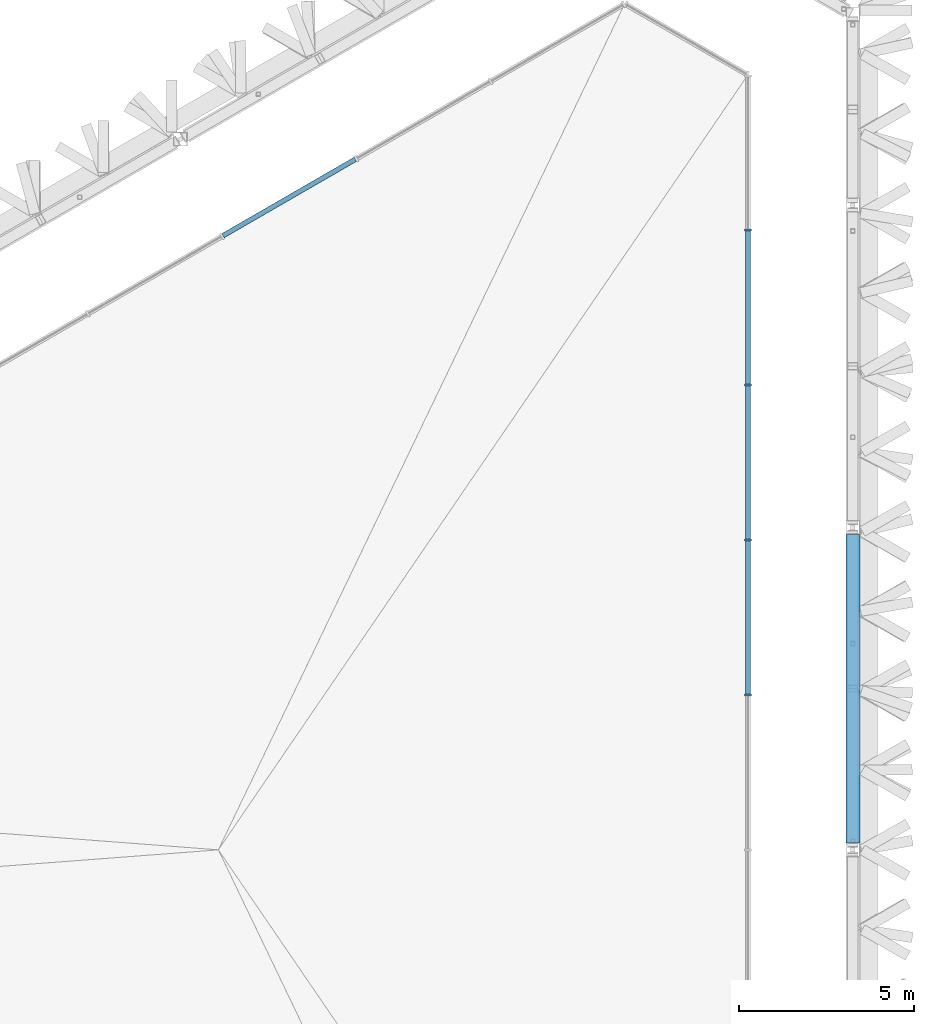
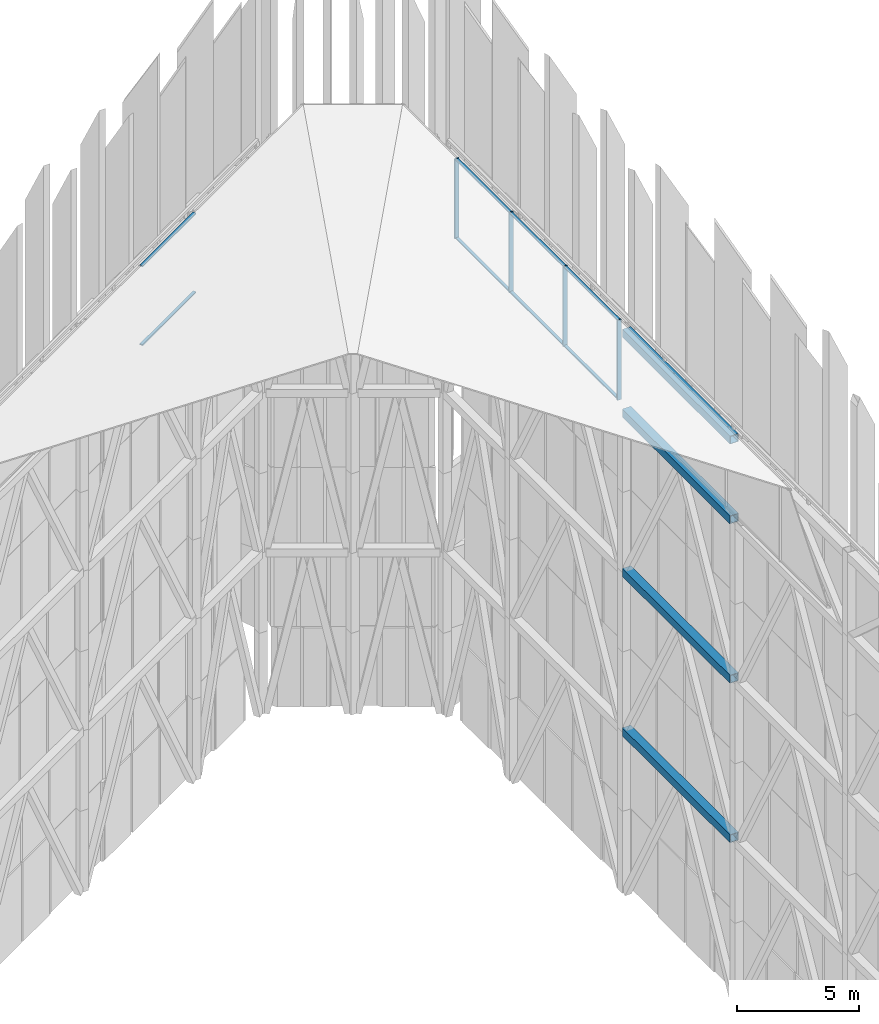
# One storey, part 14 of 45: 16 members, 2 elements without a shape of their own.
"""IFC4 building model written with IfcOpenShell, lengths in metres."""

from ifc_helpers import new_model, si_unit, direction, frame, origin, origin_2d, place, context, subcontext, project, spatial, rectangle, hollow_rectangle, extrude, material, layer, layer_set, material_profile, profile_set, type_object, element, aggregate, save


model = new_model("IFC4")

# Units and contexts
model_context = context("Model", 3, precision=1e-05, world=origin(), true_north=direction((0.0, 1.0)))
body_context = subcontext(model_context, "Body", "Model", "MODEL_VIEW")
ifc_project = project(units=[si_unit("LENGTHUNIT", "METRE"), si_unit("AREAUNIT", "SQUARE_METRE"), si_unit("VOLUMEUNIT", "CUBIC_METRE"), si_unit("PLANEANGLEUNIT", "RADIAN"), si_unit("MASSUNIT", "GRAM", prefix="KILO")], contexts=[model_context])

# Site, building, storey
site_placement = place(None, origin())
site = spatial("IfcSite", under=ifc_project, at=site_placement, CompositionType="ELEMENT")
building_placement = place(site_placement, origin())
building = spatial("IfcBuilding", under=site, at=building_placement, Name="Jabali Bay Hotel Tower and Convention Centre", CompositionType="ELEMENT")
storey_placement = place(building_placement, frame((0.0, 0.0, 322.39990234375)))
storey = spatial("IfcBuildingStorey", under=building, at=storey_placement, Name="Crown", CompositionType="ELEMENT", Elevation=322.39990234375)

# Curtain wall, members
ifc_material_1 = material(Name="Aluminium and glass", Category="aluminium")
ifc_layer = layer(ifc_material_1, 0.199951171875)
ifc_layer_set = layer_set([ifc_layer], Name="Aluminium and glass")
curtain_wall_type = type_object("IfcCurtainWallType", Name="CW6 curtain wall", PredefinedType="NOTDEFINED", material=ifc_layer_set)
curtain_wall_1_placement = place(storey_placement, origin())
curtain_wall_1 = element("IfcCurtainWall", 1, at=curtain_wall_1_placement, inside=storey, type_object=curtain_wall_type, Name="CW6 lantern glazing 1", PredefinedType="NOTDEFINED")
ifc_material_2 = material(Name="Aluminium", Category="aluminium")
ifc_material_profile_1 = material_profile(ifc_material_2, rectangle(XDim=0.199951171875, YDim=0.06005859375, at=origin_2d()), Name="CW6 mullion 60 x 200")
ifc_profile_set_1 = profile_set([ifc_material_profile_1], Name="Aluminium")
member_type_1 = type_object("IfcMemberType", Name="CW6 mullion 60 x 200", PredefinedType="MULLION", material=ifc_profile_set_1)
member_1_placement = place(storey_placement, frame((90.148681640625, 84.43408203125, 28.35009765625), z_axis=(0.0, 0.0, 1.0), x_axis=(-1.0, 0.0, 0.0)))
member_1 = element("IfcMember", 2, at=member_1_placement, type_object=member_type_1, Name="CW6 mullion 7", PredefinedType="MULLION", context=body_context, shape_type="SweptSolid", body=[
    extrude(rectangle(XDim=0.199951171875, YDim=0.06005859375, at=origin_2d()), origin(), (0.0, 0.0, 1.0), 4.0),
])
member_2_placement = place(storey_placement, frame((90.148681640625, 88.867919921875, 28.35009765625), z_axis=(0.0, 0.0, 1.0), x_axis=(-1.0, 0.0, 0.0)))
member_2 = element("IfcMember", 3, at=member_2_placement, type_object=member_type_1, Name="CW6 mullion 8", PredefinedType="MULLION", context=body_context, shape_type="SweptSolid", body=[
    extrude(rectangle(XDim=0.199951171875, YDim=0.06005859375, at=origin_2d()), origin(), (0.0, 0.0, 1.0), 4.0),
])
member_3_placement = place(storey_placement, frame((90.148681640625, 93.302001953125, 28.35009765625), z_axis=(0.0, 0.0, 1.0), x_axis=(-1.0, 0.0, 0.0)))
member_3 = element("IfcMember", 4, at=member_3_placement, type_object=member_type_1, Name="CW6 mullion 9", PredefinedType="MULLION", context=body_context, shape_type="SweptSolid", body=[
    extrude(rectangle(XDim=0.199951171875, YDim=0.06005859375, at=origin_2d()), origin(), (0.0, 0.0, 1.0), 4.0),
])
member_4_placement = place(storey_placement, frame((90.148681640625, 97.73583984375, 28.35009765625), z_axis=(0.0, 0.0, 1.0), x_axis=(-1.0, 0.0, 0.0)))
member_4 = element("IfcMember", 5, at=member_4_placement, type_object=member_type_1, Name="CW6 mullion 10", PredefinedType="MULLION", context=body_context, shape_type="SweptSolid", body=[
    extrude(rectangle(XDim=0.199951171875, YDim=0.06005859375, at=origin_2d()), origin(), (0.0, 0.0, 1.0), 4.0),
])
ifc_material_profile_2 = material_profile(ifc_material_2, rectangle(XDim=0.139892578125, YDim=0.06005859375, at=origin_2d()), Name="CW6 transom 60 x 140")
ifc_profile_set_2 = profile_set([ifc_material_profile_2], Name="Aluminium")
member_type_2 = type_object("IfcMemberType", Name="CW6 transom 60 x 140", PredefinedType="USERDEFINED", material=ifc_profile_set_2)
member_5_placement = place(storey_placement, frame((90.148681640625, 84.4638671875, 28.380126953125), z_axis=(0.0, 1.0, 0.0), x_axis=(-1.0, 0.0, 0.0)))
member_5 = element("IfcMember", 6, at=member_5_placement, type_object=member_type_2, Name="CW6 transom 7.1", ObjectType="TRANSOM", PredefinedType="USERDEFINED", context=body_context, shape_type="SweptSolid", body=[
    extrude(rectangle(XDim=0.139892578125, YDim=0.06005859375, at=origin_2d()), origin(), (0.0, 0.0, 1.0), 4.3740234375),
])
member_6_placement = place(storey_placement, frame((90.148681640625, 84.4638671875, 32.320068359375), z_axis=(0.0, 1.0, 0.0), x_axis=(-1.0, 0.0, 0.0)))
member_6 = element("IfcMember", 7, at=member_6_placement, type_object=member_type_2, Name="CW6 transom 7.2", ObjectType="TRANSOM", PredefinedType="USERDEFINED", context=body_context, shape_type="SweptSolid", body=[
    extrude(rectangle(XDim=0.139892578125, YDim=0.06005859375, at=origin_2d()), origin(), (0.0, 0.0, 1.0), 4.3740234375),
])
member_7_placement = place(storey_placement, frame((90.148681640625, 88.89794921875, 28.380126953125), z_axis=(0.0, 1.0, 0.0), x_axis=(-1.0, 0.0, 0.0)))
member_7 = element("IfcMember", 8, at=member_7_placement, type_object=member_type_2, Name="CW6 transom 8.1", ObjectType="TRANSOM", PredefinedType="USERDEFINED", context=body_context, shape_type="SweptSolid", body=[
    extrude(rectangle(XDim=0.139892578125, YDim=0.06005859375, at=origin_2d()), origin(), (0.0, 0.0, 1.0), 4.3740234375),
])
member_8_placement = place(storey_placement, frame((90.148681640625, 88.89794921875, 32.320068359375), z_axis=(0.0, 1.0, 0.0), x_axis=(-1.0, 0.0, 0.0)))
member_8 = element("IfcMember", 9, at=member_8_placement, type_object=member_type_2, Name="CW6 transom 8.2", ObjectType="TRANSOM", PredefinedType="USERDEFINED", context=body_context, shape_type="SweptSolid", body=[
    extrude(rectangle(XDim=0.139892578125, YDim=0.06005859375, at=origin_2d()), origin(), (0.0, 0.0, 1.0), 4.3740234375),
])
member_9_placement = place(storey_placement, frame((90.148681640625, 93.33203125, 28.380126953125), z_axis=(0.0, 1.0, 0.0), x_axis=(-1.0, 0.0, 0.0)))
member_9 = element("IfcMember", 10, at=member_9_placement, type_object=member_type_2, Name="CW6 transom 9.1", ObjectType="TRANSOM", PredefinedType="USERDEFINED", context=body_context, shape_type="SweptSolid", body=[
    extrude(rectangle(XDim=0.139892578125, YDim=0.06005859375, at=origin_2d()), origin(), (0.0, 0.0, 1.0), 4.3740234375),
])
member_10_placement = place(storey_placement, frame((90.148681640625, 93.33203125, 32.320068359375), z_axis=(0.0, 1.0, 0.0), x_axis=(-1.0, 0.0, 0.0)))
member_10 = element("IfcMember", 11, at=member_10_placement, type_object=member_type_2, Name="CW6 transom 9.2", ObjectType="TRANSOM", PredefinedType="USERDEFINED", context=body_context, shape_type="SweptSolid", body=[
    extrude(rectangle(XDim=0.139892578125, YDim=0.06005859375, at=origin_2d()), origin(), (0.0, 0.0, 1.0), 4.3740234375),
])
aggregate(curtain_wall_1, [member_1, member_2, member_3, member_4, member_5, member_6, member_7, member_8, member_9, member_10])

curtain_wall_2_placement = place(storey_placement, origin())
curtain_wall_2 = element("IfcCurtainWall", 12, at=curtain_wall_2_placement, inside=storey, type_object=curtain_wall_type, Name="CW6 lantern glazing 3", PredefinedType="NOTDEFINED")
member_11_placement = place(storey_placement, frame((78.91943359375, 99.755126953125, 28.380126953125), z_axis=(-0.866015480101, -0.500017187931, 0.0), x_axis=(0.500017187931, -0.866015480101, 0.0)))
member_11 = element("IfcMember", 13, at=member_11_placement, type_object=member_type_2, Name="CW6 transom 3.1", ObjectType="TRANSOM", PredefinedType="USERDEFINED", context=body_context, shape_type="SweptSolid", body=[
    extrude(rectangle(XDim=0.139892578125, YDim=0.06005859375, at=origin_2d()), origin(), (0.0, 0.0, 1.0), 4.373779296875),
])
member_12_placement = place(storey_placement, frame((78.91943359375, 99.755126953125, 32.320068359375), z_axis=(-0.866015480101, -0.500017187931, 0.0), x_axis=(0.500017187931, -0.866015480101, 0.0)))
member_12 = element("IfcMember", 14, at=member_12_placement, type_object=member_type_2, Name="CW6 transom 3.2", ObjectType="TRANSOM", PredefinedType="USERDEFINED", context=body_context, shape_type="SweptSolid", body=[
    extrude(rectangle(XDim=0.139892578125, YDim=0.06005859375, at=origin_2d()), origin(), (0.0, 0.0, 1.0), 4.373779296875),
])
aggregate(curtain_wall_2, [member_11, member_12])

# Members
ifc_material_3 = material(Name="Steel Q420GJC", Category="steel")
ifc_material_profile_3 = material_profile(ifc_material_3, hollow_rectangle(XDim=0.39990234375, YDim=0.39990234375, WallThickness=0.02001953125, at=origin_2d()), Name="Crown frame member 400x400x20")
ifc_profile_set_3 = profile_set([ifc_material_profile_3], Name="Steel Q420GJC")
member_type_3 = type_object("IfcMemberType", Name="Crown frame member 400x400x20", PredefinedType="USERDEFINED", material=ifc_profile_set_3)
for number, where, z_axis, x_axis, name in (
    (15, (93.148681640625, 80.199951171875, 7.971435546875), (0.0, 1.0, 0.0), (-1.0, 0.0, 0.0), "Crown ring 330.371 F0.3-F0.4"),
    (16, (93.148681640625, 80.199951171875, 15.94287109375), (0.0, 1.0, 0.0), (-1.0, 0.0, 0.0), "Crown ring 338.343 F0.3-F0.4"),
    (17, (93.148681640625, 80.199951171875, 23.914306640625), (0.0, 1.0, 0.0), (-1.0, 0.0, 0.0), "Crown ring 346.314 F0.3-F0.4"),
    (18, (93.148681640625, 80.199951171875, 27.900146484375), (0.0, 1.0, 0.0), (-1.0, 0.0, 0.0), "Crown ring 350.3 F0.3-F0.4"),
):
    element("IfcMember", number, at=place(storey_placement, frame(where, z_axis=z_axis, x_axis=x_axis)), inside=storey, type_object=member_type_3, Name=name, ObjectType="CROWN FRAME", PredefinedType="USERDEFINED", context=body_context, shape_type="SweptSolid", body=[
        extrude(hollow_rectangle(XDim=0.39990234375, YDim=0.39990234375, WallThickness=0.02001953125, at=origin_2d()), origin(), (0.0, 0.0, 1.0), 8.82275390625),
    ])

save(model, "model.ifc")
